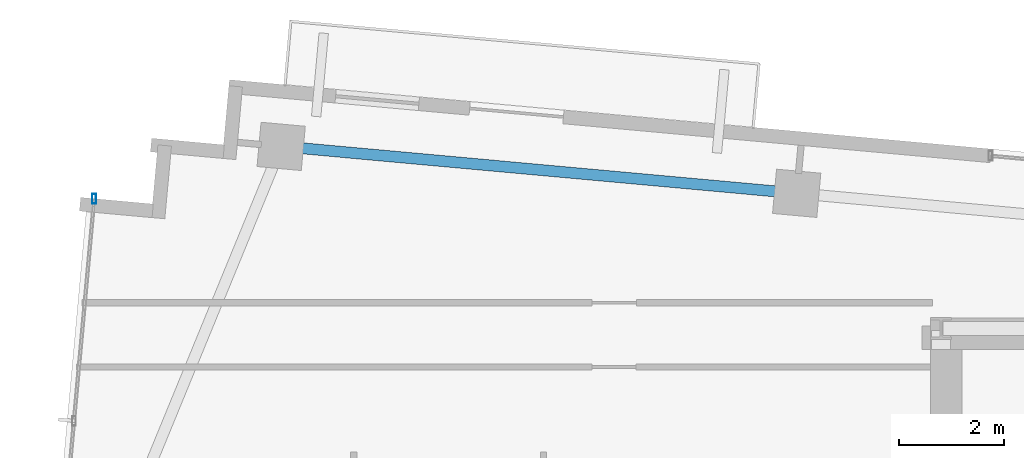
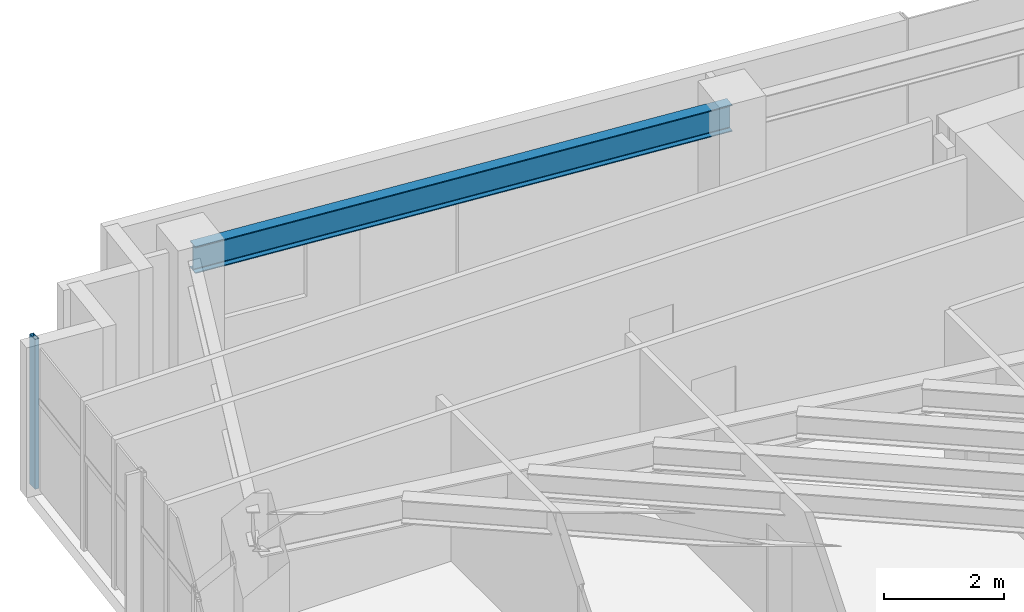
# One storey, part 9 of 22: 1 beam, 1 member, 1 element without a shape of its own.
"""IFC4 building model written with IfcOpenShell, lengths in metres."""

from ifc_helpers import new_model, si_unit, direction, frame, origin, origin_2d, place, context, subcontext, project, spatial, hollow_rectangle, i_section, extrude, source, transform, mapped, material, material_profile, profile_set, type_object, type_shapes, element, aggregate, save


model = new_model("IFC4")

# Units and contexts
model_context = context("Model", 3, precision=1e-05, world=origin(), true_north=direction((0.0, 1.0)))
body_context = subcontext(model_context, "Body", "Model", "MODEL_VIEW")
ifc_project = project(units=[si_unit("LENGTHUNIT", "METRE"), si_unit("AREAUNIT", "SQUARE_METRE"), si_unit("VOLUMEUNIT", "CUBIC_METRE"), si_unit("PLANEANGLEUNIT", "RADIAN"), si_unit("MASSUNIT", "GRAM", prefix="KILO")], contexts=[model_context])

# Site, building, storey
site_placement = place(None, origin())
site = spatial("IfcSite", under=ifc_project, at=site_placement, CompositionType="ELEMENT")
building_placement = place(site_placement, origin())
building = spatial("IfcBuilding", under=site, at=building_placement, Name="Astriad Promenade Condominiums", CompositionType="ELEMENT")
storey_placement = place(building_placement, frame((0.0, 0.0, 243.0)))
storey = spatial("IfcBuildingStorey", under=building, at=storey_placement, Name="L70", CompositionType="ELEMENT", Elevation=243.0)

# Beam
ifc_material_1 = material(Name="Steel ASTM A992 Grade 50", Category="steel")
ifc_material_profile_1 = material_profile(ifc_material_1, i_section(OverallWidth=0.210693359375, OverallDepth=0.53955078125, WebThickness=0.01171875, FlangeThickness=0.018798828125, FilletRadius=0.0166015625, at=origin_2d()), Name="W21X73")
ifc_profile_set_1 = profile_set([ifc_material_profile_1], Name="Steel ASTM A992 Grade 50")
beam_type = type_object("IfcBeamType", Name="STEEL SPANDREL BEAM W21X73", PredefinedType="SPANDREL", material=ifc_profile_set_1)
shared_shape_1 = source(origin(), body_context, "Body", "SweptSolid", [
    extrude(i_section(OverallWidth=0.210693359375, OverallDepth=0.53955078125, WebThickness=0.01171875, FlangeThickness=0.018798828125, FilletRadius=0.0166015625, at=origin_2d()), origin(), (0.0, 0.0, 1.0), 9.820068359375),
])
type_shapes(beam_type, [shared_shape_1])
beam_placement = place(storey_placement, frame((23.6005859375, 26.589111328125, 2.770263671875), z_axis=(-0.995883214993, 0.090645585088, 0.0), x_axis=(-0.090645585088, -0.995883214993, 0.0)))
element("IfcBeam", 1, at=beam_placement, inside=storey, type_object=beam_type, Name="Perimeter Spandrel Beam SP-N1-L70", PredefinedType="SPANDREL", context=body_context, shape_type="MappedRepresentation", body=[
    mapped(shared_shape_1, transform((0.0, 0.0, 0.0), scale=1.0)),
])

# Curtain wall, member
ifc_material_2 = material(Name="Anodised aluminium Black Dark Glass Unitised", Category="aluminium")
curtain_wall_type = type_object("IfcCurtainWallType", Name="CW-B5-DARK", PredefinedType="USERDEFINED", material=ifc_material_2)
curtain_wall_placement = place(storey_placement, origin())
curtain_wall = element("IfcCurtainWall", 2, at=curtain_wall_placement, inside=storey, type_object=curtain_wall_type, Name="CW-L70-W", ObjectType="UNITISED_CURTAIN_WALL", PredefinedType="USERDEFINED")
ifc_material_3 = material(Name="Anodised aluminium 6063-T6 Black", Category="aluminium")
ifc_material_profile_2 = material_profile(ifc_material_3, hollow_rectangle(XDim=0.074951171875, YDim=0.18505859375, WallThickness=0.00439453125, at=origin_2d()), Name="ALU-MUL-75X185")
ifc_profile_set_2 = profile_set([ifc_material_profile_2], Name="Anodised aluminium 6063-T6 Black")
member_type = type_object("IfcMemberType", Name="MUL-ALU-MUL-75X185", PredefinedType="MULLION", material=ifc_profile_set_2)
shared_shape_2 = source(origin(), body_context, "Body", "SweptSolid", [
    extrude(hollow_rectangle(XDim=0.074951171875, YDim=0.18505859375, WallThickness=0.00439453125, at=origin_2d()), origin(), (0.0, 0.0, 1.0), 3.0400390625),
])
type_shapes(member_type, [shared_shape_2])
member_placement = place(storey_placement, frame((10.205810546875, 26.482666015625, 0.0), z_axis=(0.0, 0.0, 1.0), x_axis=(1.0, 0.0, 0.0)))
member = element("IfcMember", 3, at=member_placement, type_object=member_type, Name="CW-L70-W-MUL-03", PredefinedType="MULLION", context=body_context, shape_type="MappedRepresentation", body=[
    mapped(shared_shape_2, transform((0.0, 0.0, 0.0), scale=1.0)),
])
aggregate(curtain_wall, [member])

save(model, "model.ifc")
